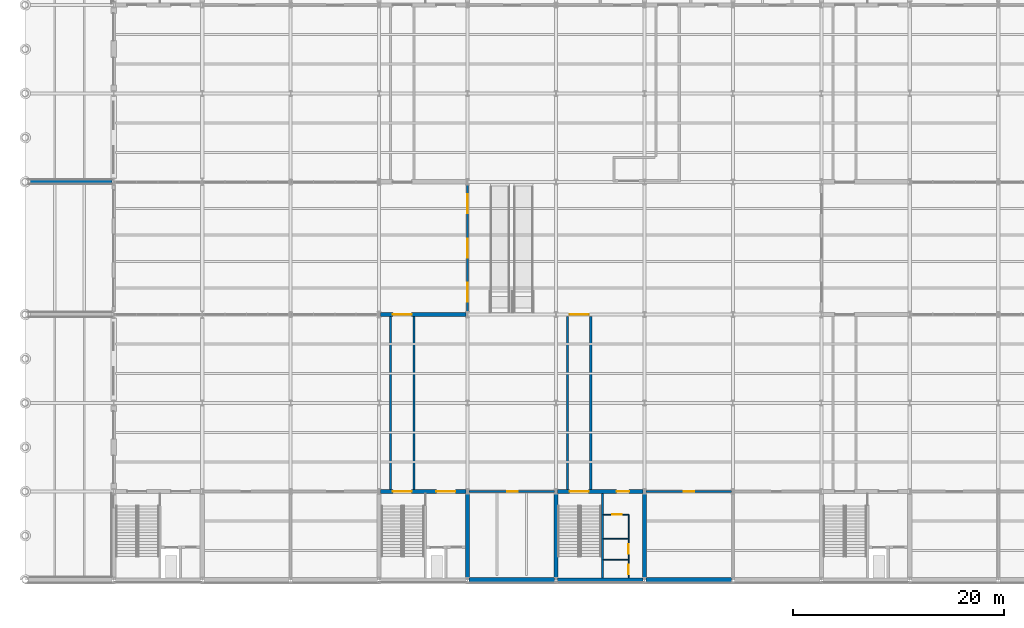
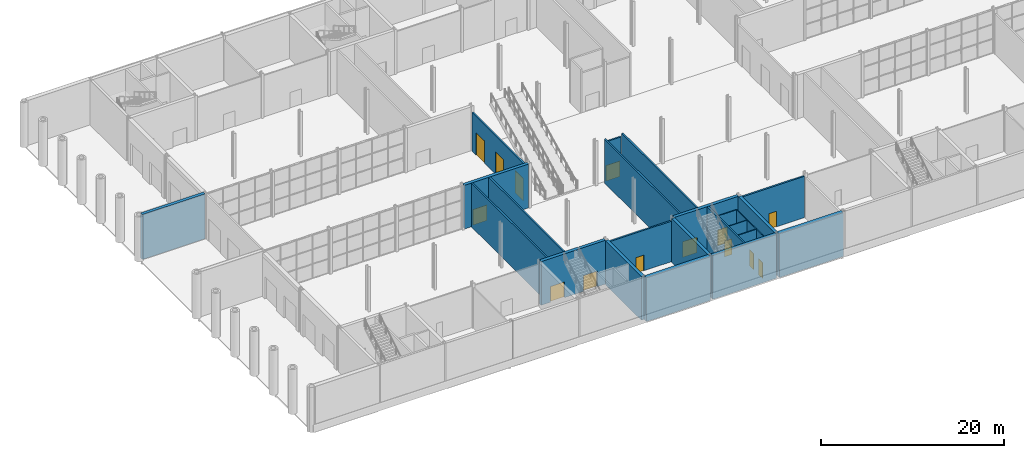
# One storey, part 31 of 55: 25 walls, 14 doors, 14 openings.
"""IFC4 building model written with IfcOpenShell, lengths in metres."""

import ifcopenshell
import ifcopenshell.guid

model = None  # the IFC model being written
_history = None  # IfcOwnerHistory: only IFC2X3 demands one
_inside = {}  # id of a spatial element -> (the spatial element, [elements in it])
_under = {}  # id of a project, library or spatial element -> (it, [spatial elements below it])
_declared = {}  # id of a project -> (the project, [libraries it declares])
_typed = {}  # id of a type object -> (the type object, [elements of that type])
_made_of = {}  # id of a material, layer set ... -> (it, [elements and type objects made of it])


def new_model(schema):
    """Start an empty IFC model of exactly this schema.

    Asked for "IFC4X3", IfcOpenShell would pick the latest addendum, in which some entities
    have other attributes; the version numbers below select the first issue.
    IFC2X3 requires an IfcOwnerHistory on every rooted entity: one is made here for all.
    """
    global model, _history
    if schema == "IFC4X3":
        model = ifcopenshell.file(schema_version=(4, 3, 0, 0))
    else:
        model = ifcopenshell.file(schema=schema)
    _inside.clear()
    _under.clear()
    _declared.clear()
    _typed.clear()
    _made_of.clear()
    _history = None
    if model.schema == "IFC2X3":
        org = make("IfcOrganization", Name="unknown")
        user = make(
            "IfcPersonAndOrganization",
            ThePerson=make("IfcPerson", FamilyName="unknown"),
            TheOrganization=org,
        )
        app = make(
            "IfcApplication",
            ApplicationDeveloper=org,
            Version="unknown",
            ApplicationFullName="unknown",
            ApplicationIdentifier="unknown",
        )
        _history = make(
            "IfcOwnerHistory",
            OwningUser=user,
            OwningApplication=app,
            ChangeAction="ADDED",
            CreationDate=0,
        )
    return model


def make(cls, **values):
    """One entity of the class cls with the attributes given. An attribute that is None is left unset."""
    return model.create_entity(
        cls, **{name: value for name, value in values.items() if value is not None}
    )


def rooted(cls, **values):
    """An entity with a GlobalId (a new one), such as an element, a storey or a relation."""
    return make(cls, GlobalId=ifcopenshell.guid.new(), OwnerHistory=_history, **values)


def si_unit(unit_type, name, prefix=None):
    """IfcSIUnit, for example si_unit("LENGTHUNIT", "METRE", prefix="MILLI")."""
    return make("IfcSIUnit", UnitType=unit_type, Prefix=prefix, Name=name)


def assignment(units):
    """IfcUnitAssignment: the units of a project."""
    return None if units is None else make("IfcUnitAssignment", Units=units)


def point(xyz):
    """IfcCartesianPoint."""
    return None if xyz is None else make("IfcCartesianPoint", Coordinates=xyz)


def direction(xyz):
    """IfcDirection."""
    return None if xyz is None else make("IfcDirection", DirectionRatios=xyz)


def frame(location, z_axis=None, x_axis=None):
    """IfcAxis2Placement3D, a coordinate frame: its origin and axes. An axis left out is left unset."""
    return make(
        "IfcAxis2Placement3D",
        Location=point(location),
        Axis=direction(z_axis),
        RefDirection=direction(x_axis),
    )


def frame_2d(location, x_axis=None):
    """IfcAxis2Placement2D, a coordinate frame in the plane: its origin and x axis."""
    return make(
        "IfcAxis2Placement2D", Location=point(location), RefDirection=direction(x_axis)
    )


def origin():
    """The frame at (0, 0, 0) with its axes left unset."""
    return frame((0.0, 0.0, 0.0))


def place(relative_to, where):
    """IfcLocalPlacement: puts the frame where relative to a parent placement (None: the world)."""
    return make(
        "IfcLocalPlacement", PlacementRelTo=relative_to, RelativePlacement=where
    )


def context(
    kind, dimensions, precision=None, world=None, true_north=None, identifier=None
):
    """IfcGeometricRepresentationContext, for example the 3D "Model" context."""
    return make(
        "IfcGeometricRepresentationContext",
        ContextIdentifier=identifier,
        ContextType=kind,
        CoordinateSpaceDimension=dimensions,
        Precision=precision,
        WorldCoordinateSystem=world,
        TrueNorth=true_north,
    )


def subcontext(parent, identifier, kind, view, scale=None):
    """IfcGeometricRepresentationSubContext, for example "Body" below "Model"."""
    return make(
        "IfcGeometricRepresentationSubContext",
        ContextIdentifier=identifier,
        ContextType=kind,
        ParentContext=parent,
        TargetScale=scale,
        TargetView=view,
    )


def project(units=None, contexts=None):
    """IfcProject with its units and contexts."""
    return rooted(
        "IfcProject",
        Name="project",
        RepresentationContexts=contexts,
        UnitsInContext=assignment(units),
    )


def spatial(cls, under=None, at=None, **own):
    """A site, building, storey or space (cls), placed at a placement, below another one or the project."""
    s = rooted(cls, ObjectPlacement=at, **own)
    if under is not None:
        _under.setdefault(under.id(), (under, []))[1].append(s)
    return s


def profile(cls, at=None, kind="AREA", **sizes):
    """A parametric profile (cls). Its sizes go by their IFC names, for example OverallWidth=200.0."""
    return make(cls, ProfileType=kind, Position=at, **sizes)


def rectangle(**sizes):
    """IfcRectangleProfileDef."""
    return profile("IfcRectangleProfileDef", **sizes)


def extrude(swept, where, along, depth):
    """IfcExtrudedAreaSolid: the profile swept, set in the frame where, extruded along a direction by depth."""
    return make(
        "IfcExtrudedAreaSolid",
        SweptArea=swept,
        Position=where,
        ExtrudedDirection=direction(along),
        Depth=depth,
    )


def shape(context_of_items, identifier, shape_type, items):
    """IfcShapeRepresentation: the items that make up one representation, for example the "Body"."""
    return make(
        "IfcShapeRepresentation",
        ContextOfItems=context_of_items,
        RepresentationIdentifier=identifier,
        RepresentationType=shape_type,
        Items=items,
    )


def material(Name=None, Category=None):
    """IfcMaterial."""
    return make("IfcMaterial", Name=Name, Category=Category)


def layer(
    of_material, thickness, ventilated=None, Name=None, Category=None, Priority=None
):
    """IfcMaterialLayer: one layer of a wall or slab, of a material (None: an air gap)."""
    return make(
        "IfcMaterialLayer",
        Material=of_material,
        LayerThickness=thickness,
        IsVentilated=ventilated,
        Name=Name,
        Category=Category,
        Priority=Priority,
    )


def layer_set(layers, Name=None):
    """IfcMaterialLayerSet."""
    return make("IfcMaterialLayerSet", MaterialLayers=layers, LayerSetName=Name)


def made_of(thing, what):
    """Note that an element or type object is made of a material, layer set ...; save() writes the relation."""
    if what is not None:
        _made_of.setdefault(what.id(), (what, []))[1].append(thing)
    return thing


def type_object(cls, material=None, **own):
    """A type object (cls), such as IfcWallType, which elements share."""
    return made_of(rooted(cls, **own), material)


def element(
    cls,
    number,
    at=None,
    inside=None,
    cuts=None,
    type_object=None,
    material=None,
    context=None,
    identifier="Body",
    shape_type=None,
    held_by="IfcProductDefinitionShape",
    body=None,
    shapes=None,
    **own,
):
    """One element of the class cls, such as IfcWall. Its Tag is "e" and its number.

    at: its placement. inside: the storey or other place that contains it. cuts: it is an
    opening in that element (IfcRelVoidsElement). A single representation is given by context,
    identifier, shape_type and body (its items); several are given by shapes. held_by: the class
    of the entity that holds the representations. save() writes the other relations.
    """
    e = rooted(cls, Tag="e%d" % number, ObjectPlacement=at, **own)
    if body is not None:
        shapes = [shape(context, identifier, shape_type, body)]
    if shapes is not None:
        e.Representation = make(held_by, Representations=shapes)
    if inside is not None:
        _inside.setdefault(inside.id(), (inside, []))[1].append(e)
    if cuts is not None:
        rooted(
            "IfcRelVoidsElement", RelatingBuildingElement=cuts, RelatedOpeningElement=e
        )
    if type_object is not None:
        _typed.setdefault(type_object.id(), (type_object, []))[1].append(e)
    return made_of(e, material)


def fill(opening, filler):
    """IfcRelFillsElement: the door or window that sits in an opening."""
    return rooted(
        "IfcRelFillsElement",
        RelatingOpeningElement=opening,
        RelatedBuildingElement=filler,
    )


def aggregate(whole, parts):
    """IfcRelAggregates: a whole, such as a stair, and the parts it consists of."""
    return rooted("IfcRelAggregates", RelatingObject=whole, RelatedObjects=parts)


def save(model, path):
    """Write the relations noted so far, then the file.

    IfcRelAggregates (storeys below a building ...), IfcRelContainedInSpatialStructure (elements
    in a storey), IfcRelDefinesByType, IfcRelAssociatesMaterial and IfcRelDeclares: one each for
    every whole, place, type object, material and project.
    """
    for whole, parts in _under.values():
        aggregate(whole, parts)
    for where, things in _inside.values():
        rooted(
            "IfcRelContainedInSpatialStructure",
            RelatedElements=things,
            RelatingStructure=where,
        )
    for kind, things in _typed.values():
        rooted("IfcRelDefinesByType", RelatedObjects=things, RelatingType=kind)
    for what, things in _made_of.values():
        rooted("IfcRelAssociatesMaterial", RelatedObjects=things, RelatingMaterial=what)
    for by, libraries in _declared.values():
        rooted("IfcRelDeclares", RelatingContext=by, RelatedDefinitions=libraries)
    model.write(path)


model = new_model("IFC4")

# Units and contexts
model_context = context("Model", 3, precision=1e-05, world=origin(), true_north=direction((0.0, 1.0)))
body_context = subcontext(model_context, "Body", "Model", "MODEL_VIEW")
ifc_project = project(units=[si_unit("LENGTHUNIT", "METRE"), si_unit("AREAUNIT", "SQUARE_METRE"), si_unit("VOLUMEUNIT", "CUBIC_METRE"), si_unit("PLANEANGLEUNIT", "RADIAN"), si_unit("MASSUNIT", "GRAM", prefix="KILO")], contexts=[model_context])

# Site, building, storey
site_placement = place(None, origin())
site = spatial("IfcSite", under=ifc_project, at=site_placement, CompositionType="ELEMENT")
building_placement = place(site_placement, origin())
building = spatial("IfcBuilding", under=site, at=building_placement, Name="Galleria Vessillo Department Store", CompositionType="ELEMENT")
storey_placement = place(building_placement, origin())
storey = spatial("IfcBuildingStorey", under=building, at=storey_placement, Name="L00", CompositionType="ELEMENT", Elevation=0.0)

# Wall, openings, doors
ifc_material_1 = material(Name="Aluminium frame with laminated glass 44.2", Category="aluminium")
ifc_layer_1 = layer(ifc_material_1, 0.199951171875)
ifc_layer_set_1 = layer_set([ifc_layer_1], Name="Aluminium frame with laminated glass 44.2")
wall_type_1 = type_object("IfcWallType", Name="Glazed screen frame wall 200 mm, internal", PredefinedType="STANDARD", material=ifc_layer_set_1)
wall_1_placement = place(storey_placement, frame((42.0, 25.510009765625, 0.0), z_axis=(0.0, 0.0, 1.0), x_axis=(0.0, 1.0, 0.0)))
wall_1 = element("IfcWall", 1, at=wall_1_placement, inside=storey, type_object=wall_type_1, Name="Glazed screen frame wall 200 mm SCR-AW-L00-01", PredefinedType="STANDARD", context=body_context, shape_type="SweptSolid", body=[
    extrude(rectangle(XDim=11.97998046875, YDim=0.199951171875, at=frame_2d((5.989990234375, 0.0))), origin(), (0.0, 0.0, 1.0), 5.16015625),
])
opening_1_placement = place(wall_1_placement, frame((0.89013671875, 0.0, 0.0)))
opening_1 = element("IfcOpeningElement", 2, at=opening_1_placement, cuts=wall_1, Name="Opening DA-W1", PredefinedType="OPENING", context=body_context, shape_type="SweptSolid", body=[
    extrude(rectangle(XDim=1.800048828125, YDim=3.0, at=frame_2d((0.89990234375, 1.5))), frame((0.0, 0.10986328125, 0.0), z_axis=(0.0, -1.0, 0.0), x_axis=(1.0, 0.0, 0.0)), (0.0, 0.0, 1.0), 0.219970703125),
])
opening_2_placement = place(wall_1_placement, frame((5.090087890625, 0.0, 0.0)))
opening_2 = element("IfcOpeningElement", 3, at=opening_2_placement, cuts=wall_1, Name="Opening DA-W2", PredefinedType="OPENING", context=body_context, shape_type="SweptSolid", body=[
    extrude(rectangle(XDim=1.800048828125, YDim=3.0, at=frame_2d((0.89990234375, 1.5))), frame((0.0, 0.10986328125, 0.0), z_axis=(0.0, -1.0, 0.0), x_axis=(1.0, 0.0, 0.0)), (0.0, 0.0, 1.0), 0.219970703125),
])
opening_3_placement = place(wall_1_placement, frame((9.2900390625, 0.0, 0.0)))
opening_3 = element("IfcOpeningElement", 4, at=opening_3_placement, cuts=wall_1, Name="Opening DA-W3", PredefinedType="OPENING", context=body_context, shape_type="SweptSolid", body=[
    extrude(rectangle(XDim=1.800048828125, YDim=3.0, at=frame_2d((0.89990234375, 1.5))), frame((0.0, 0.10986328125, 0.0), z_axis=(0.0, -1.0, 0.0), x_axis=(1.0, 0.0, 0.0)), (0.0, 0.0, 1.0), 0.219970703125),
])
ifc_material_2 = material(Name="Aluminium frame with laminated glass 44.2", Category="aluminium")
door_type_1 = type_object("IfcDoorType", Name="Glazed double screen door 1800 x 3000", OperationType="DOUBLE_DOOR_SINGLE_SWING", PredefinedType="DOOR", material=ifc_material_2)
door_1_placement = place(opening_1_placement, frame((1.800048828125, 0.0, 0.0), z_axis=(0.0, 0.0, 1.0), x_axis=(-1.0, 0.0, 0.0)))
door_1 = element("IfcDoor", 5, at=door_1_placement, inside=storey, type_object=door_type_1, Name="Glazed double screen door 1800 x 3000 DA-W1", OperationType="DOUBLE_DOOR_SINGLE_SWING", OverallHeight=3.0, OverallWidth=1.800048828125, PredefinedType="DOOR", context=body_context, shape_type="SweptSolid", body=[
    extrude(rectangle(XDim=1.800048828125, YDim=3.0, at=frame_2d((0.89990234375, 1.5))), frame((0.0, 0.02490234375, 0.0), z_axis=(0.0, -1.0, 0.0), x_axis=(1.0, 0.0, 0.0)), (0.0, 0.0, 1.0), 0.050048828125),
])
fill(opening_1, door_1)
door_2_placement = place(opening_2_placement, frame((1.800048828125, 0.0, 0.0), z_axis=(0.0, 0.0, 1.0), x_axis=(-1.0, 0.0, 0.0)))
door_2 = element("IfcDoor", 6, at=door_2_placement, inside=storey, type_object=door_type_1, Name="Glazed double screen door 1800 x 3000 DA-W2", OperationType="DOUBLE_DOOR_SINGLE_SWING", OverallHeight=3.0, OverallWidth=1.800048828125, PredefinedType="DOOR", context=body_context, shape_type="SweptSolid", body=[
    extrude(rectangle(XDim=1.800048828125, YDim=3.0, at=frame_2d((0.89990234375, 1.5))), frame((0.0, 0.02490234375, 0.0), z_axis=(0.0, -1.0, 0.0), x_axis=(1.0, 0.0, 0.0)), (0.0, 0.0, 1.0), 0.050048828125),
])
fill(opening_2, door_2)
door_3_placement = place(opening_3_placement, frame((1.800048828125, 0.0, 0.0), z_axis=(0.0, 0.0, 1.0), x_axis=(-1.0, 0.0, 0.0)))
door_3 = element("IfcDoor", 7, at=door_3_placement, inside=storey, type_object=door_type_1, Name="Glazed double screen door 1800 x 3000 DA-W3", OperationType="DOUBLE_DOOR_SINGLE_SWING", OverallHeight=3.0, OverallWidth=1.800048828125, PredefinedType="DOOR", context=body_context, shape_type="SweptSolid", body=[
    extrude(rectangle(XDim=1.800048828125, YDim=3.0, at=frame_2d((0.89990234375, 1.5))), frame((0.0, 0.02490234375, 0.0), z_axis=(0.0, -1.0, 0.0), x_axis=(1.0, 0.0, 0.0)), (0.0, 0.0, 1.0), 0.050048828125),
])
fill(opening_3, door_3)

# Wall
ifc_material_3 = material(Name="Reinforced masonry, Ceppo di Gre units 80 MPa", Category="masonry")
ifc_layer_2 = layer(ifc_material_3, 0.39990234375)
ifc_layer_set_2 = layer_set([ifc_layer_2], Name="Reinforced masonry, Ceppo di Gre units 80 MPa")
wall_type_2 = type_object("IfcWallType", Name="Load-bearing Ceppo di Gre pier wall 400 mm", PredefinedType="STANDARD", material=ifc_layer_set_2)
wall_2_placement = place(storey_placement, frame((0.304931640625, 37.800048828125, 0.0), z_axis=(0.0, 0.0, 1.0), x_axis=(1.0, 0.0, 0.0)))
element("IfcWall", 8, at=wall_2_placement, inside=storey, type_object=wall_type_2, Name="Load-bearing Ceppo di Gre pier wall 400 mm PW-N-L00-01", PredefinedType="STANDARD", context=body_context, shape_type="SweptSolid", body=[
    extrude(rectangle(XDim=7.9423828125, YDim=0.39990234375, at=frame_2d((3.97119140625, 0.0))), origin(), (0.0, 0.0, 1.0), 6.0),
])

# Wall, opening, door
ifc_material_4 = material(Name="Reinforced masonry, Ceppo di Gre units 80 MPa", Category="masonry")
ifc_layer_3 = layer(ifc_material_4, 0.39990234375)
ifc_layer_set_3 = layer_set([ifc_layer_3], Name="Reinforced masonry, Ceppo di Gre units 80 MPa")
wall_type_3 = type_object("IfcWallType", Name="Load-bearing Ceppo di Gre pier wall 400 mm, internal", PredefinedType="STANDARD", material=ifc_layer_set_3)
wall_3_placement = place(storey_placement, frame((33.752685546875, 25.199951171875, 0.0), z_axis=(0.0, 0.0, 1.0), x_axis=(1.0, 0.0, 0.0)))
wall_3 = element("IfcWall", 9, at=wall_3_placement, inside=storey, type_object=wall_type_3, Name="Load-bearing Ceppo di Gre pier wall 400 mm AI-BW-S-L00-01", PredefinedType="STANDARD", context=body_context, shape_type="SweptSolid", body=[
    extrude(rectangle(XDim=8.0947265625, YDim=0.39990234375, at=frame_2d((4.04736328125, 0.0))), origin(), (0.0, 0.0, 1.0), 5.85009765625),
])
opening_4_placement = place(wall_3_placement, frame((1.1474609375, 0.0, 0.0)))
opening_4 = element("IfcOpeningElement", 10, at=opening_4_placement, cuts=wall_3, Name="Opening D5353", PredefinedType="OPENING", context=body_context, shape_type="SweptSolid", body=[
    extrude(rectangle(XDim=1.800048828125, YDim=2.10009765625, at=frame_2d((0.89990234375, 1.050048828125))), frame((0.0, 0.2099609375, 0.0), z_axis=(0.0, -1.0, 0.0), x_axis=(1.0, 0.0, 0.0)), (0.0, 0.0, 1.0), 0.419921875),
])
ifc_material_5 = material(Name="Fire-rated steel door leaf", Category="steel")
door_type_2 = type_object("IfcDoorType", Name="Door D180F double leaf 1800 x 2100", OperationType="DOUBLE_DOOR_SINGLE_SWING", PredefinedType="DOOR", material=ifc_material_5)
door_4_placement = place(opening_4_placement, origin())
door_4 = element("IfcDoor", 11, at=door_4_placement, inside=storey, type_object=door_type_2, Name="Passage exit door XA-ST3", OperationType="DOUBLE_DOOR_SINGLE_SWING", OverallHeight=2.10009765625, OverallWidth=1.800048828125, PredefinedType="DOOR", context=body_context, shape_type="SweptSolid", body=[
    extrude(rectangle(XDim=1.800048828125, YDim=2.10009765625, at=frame_2d((0.89990234375, 1.050048828125))), frame((0.0, 0.02490234375, 0.0), z_axis=(0.0, -1.0, 0.0), x_axis=(1.0, 0.0, 0.0)), (0.0, 0.0, 1.0), 0.050048828125),
])
fill(opening_4, door_4)

# Walls
ifc_material_6 = material(Name="Solid clay block masonry", Category="masonry")
ifc_layer_4 = layer(ifc_material_6, 0.199951171875)
ifc_layer_set_4 = layer_set([ifc_layer_4], Name="Solid clay block masonry")
wall_type_4 = type_object("IfcWallType", Name="Protected exit passage wall 200 mm", PredefinedType="PARTITIONING", material=ifc_layer_set_4)
for number, where, z_axis, x_axis, name in (
    (12, (34.699951171875, 8.599853515625, 0.0), (0.0, 0.0, 1.0), (0.0, 1.0, 0.0), "Protected passage wall ST3"),
    (13, (36.900146484375, 8.599853515625, 0.0), (0.0, 0.0, 1.0), (0.0, 1.0, 0.0), "Protected passage wall ST3"),
    (14, (51.5, 8.599853515625, 0.0), (0.0, 0.0, 1.0), (0.0, 1.0, 0.0), "Protected passage wall ST10"),
    (15, (53.7001953125, 8.599853515625, 0.0), (0.0, 0.0, 1.0), (0.0, 1.0, 0.0), "Protected passage wall ST10"),
):
    element("IfcWall", number, at=place(storey_placement, frame(where, z_axis=z_axis, x_axis=x_axis)), inside=storey, type_object=wall_type_4, Name=name, PredefinedType="PARTITIONING", context=body_context, shape_type="SweptSolid", body=[
        extrude(rectangle(XDim=16.400146484375, YDim=0.199951171875, at=frame_2d((8.2001953125, 0.0))), origin(), (0.0, 0.0, 1.0), 5.85009765625),
    ])

# Wall, opening, door
wall_4_placement = place(storey_placement, frame((51.60009765625, 25.199951171875, 0.0), z_axis=(0.0, 0.0, 1.0), x_axis=(1.0, 0.0, 0.0)))
wall_4 = element("IfcWall", 16, at=wall_4_placement, inside=storey, type_object=wall_type_4, Name="Protected passage end wall ST10", PredefinedType="PARTITIONING", context=body_context, shape_type="SweptSolid", body=[
    extrude(rectangle(XDim=2.0, YDim=0.199951171875, at=frame_2d((1.0, 0.0))), origin(), (0.0, 0.0, 1.0), 5.31005859375),
])
opening_5_placement = place(wall_4_placement, frame((0.10009765625, 0.0, 0.0)))
opening_5 = element("IfcOpeningElement", 17, at=opening_5_placement, cuts=wall_4, Name="Opening D5357", PredefinedType="OPENING", context=body_context, shape_type="SweptSolid", body=[
    extrude(rectangle(XDim=1.800048828125, YDim=2.10009765625, at=frame_2d((0.89990234375, 1.050048828125))), frame((0.0, 0.10986328125, 0.0), z_axis=(0.0, -1.0, 0.0), x_axis=(1.0, 0.0, 0.0)), (0.0, 0.0, 1.0), 0.219970703125),
])
door_5_placement = place(opening_5_placement, origin())
door_5 = element("IfcDoor", 18, at=door_5_placement, inside=storey, type_object=door_type_2, Name="Passage exit door XA-ST10", OperationType="DOUBLE_DOOR_SINGLE_SWING", OverallHeight=2.10009765625, OverallWidth=1.800048828125, PredefinedType="DOOR", context=body_context, shape_type="SweptSolid", body=[
    extrude(rectangle(XDim=1.800048828125, YDim=2.10009765625, at=frame_2d((0.89990234375, 1.050048828125))), frame((0.0, 0.02490234375, 0.0), z_axis=(0.0, -1.0, 0.0), x_axis=(1.0, 0.0, 0.0)), (0.0, 0.0, 1.0), 0.050048828125),
])
fill(opening_5, door_5)

# Wall, openings, doors
ifc_material_7 = material(Name="Concrete C32/40 reinforced", Category="concrete")
ifc_layer_5 = layer(ifc_material_7, 0.39990234375)
ifc_layer_set_5 = layer_set([ifc_layer_5], Name="Concrete C32/40 reinforced")
wall_type_5 = type_object("IfcWallType", Name="Reinforced concrete core wall 400 mm", PredefinedType="SHEAR", material=ifc_layer_set_5)
wall_5_placement = place(storey_placement, frame((33.75, 8.39990234375, 0.0), z_axis=(0.0, 0.0, 1.0), x_axis=(1.0, 0.0, 0.0)))
wall_5 = element("IfcWall", 19, at=wall_5_placement, inside=storey, type_object=wall_type_5, Name="S-CW-PC-SM-INTERIOR-L00", PredefinedType="SHEAR", context=body_context, shape_type="SweptSolid", body=[
    extrude(rectangle(XDim=8.10009765625, YDim=0.39990234375, at=frame_2d((4.050048828125, 0.0))), origin(), (0.0, 0.0, 1.0), 5.85009765625),
])
opening_6_placement = place(wall_5_placement, frame((5.2998046875, 0.0, 0.0)))
opening_6 = element("IfcOpeningElement", 20, at=opening_6_placement, cuts=wall_5, Name="Opening D5075", PredefinedType="OPENING", context=body_context, shape_type="SweptSolid", body=[
    extrude(rectangle(XDim=1.800048828125, YDim=2.10009765625, at=frame_2d((0.89990234375, 1.050048828125))), frame((0.0, 0.2099609375, 0.0), z_axis=(0.0, -1.0, 0.0), x_axis=(1.0, 0.0, 0.0)), (0.0, 0.0, 1.0), 0.419921875),
])
opening_7_placement = place(wall_5_placement, frame((1.14990234375, 0.0, 0.0)))
opening_7 = element("IfcOpeningElement", 21, at=opening_7_placement, cuts=wall_5, Name="Opening D5343", PredefinedType="OPENING", context=body_context, shape_type="SweptSolid", body=[
    extrude(rectangle(XDim=1.800048828125, YDim=2.10009765625, at=frame_2d((0.89990234375, 1.050048828125))), frame((0.0, 0.2099609375, 0.0), z_axis=(0.0, -1.0, 0.0), x_axis=(1.0, 0.0, 0.0)), (0.0, 0.0, 1.0), 0.419921875),
])
door_6_placement = place(opening_6_placement, frame((1.800048828125, 0.0, 0.0), z_axis=(0.0, 0.0, 1.0), x_axis=(-1.0, 0.0, 0.0)))
door_6 = element("IfcDoor", 22, at=door_6_placement, inside=storey, type_object=door_type_2, Name="Lobby door PC-SM-LOBBY-FLOOR L00", OperationType="DOUBLE_DOOR_SINGLE_SWING", OverallHeight=2.10009765625, OverallWidth=1.800048828125, PredefinedType="DOOR", context=body_context, shape_type="SweptSolid", body=[
    extrude(rectangle(XDim=1.800048828125, YDim=2.10009765625, at=frame_2d((0.89990234375, 1.050048828125))), frame((0.0, 0.02490234375, 0.0), z_axis=(0.0, -1.0, 0.0), x_axis=(1.0, 0.0, 0.0)), (0.0, 0.0, 1.0), 0.050048828125),
])
fill(opening_6, door_6)
door_7_placement = place(opening_7_placement, origin())
door_7 = element("IfcDoor", 23, at=door_7_placement, inside=storey, type_object=door_type_2, Name="Stair exit door X-ST3", OperationType="DOUBLE_DOOR_SINGLE_SWING", OverallHeight=2.10009765625, OverallWidth=1.800048828125, PredefinedType="DOOR", context=body_context, shape_type="SweptSolid", body=[
    extrude(rectangle(XDim=1.800048828125, YDim=2.10009765625, at=frame_2d((0.89990234375, 1.050048828125))), frame((0.0, 0.02490234375, 0.0), z_axis=(0.0, -1.0, 0.0), x_axis=(1.0, 0.0, 0.0)), (0.0, 0.0, 1.0), 0.050048828125),
])
fill(opening_7, door_7)

# Wall
wall_6_placement = place(storey_placement, frame((42.0, 0.25, 0.0), z_axis=(0.0, 0.0, 1.0), x_axis=(0.0, 1.0, 0.0)))
element("IfcWall", 24, at=wall_6_placement, inside=storey, type_object=wall_type_5, Name="S-CW-PC-SM-EAST-L00", PredefinedType="SHEAR", context=body_context, shape_type="SweptSolid", body=[
    extrude(rectangle(XDim=7.89990234375, YDim=0.39990234375, at=frame_2d((3.949951171875, 0.0))), origin(), (0.0, 0.0, 1.0), 5.85009765625),
])

# Wall, openings, doors
wall_7_placement = place(storey_placement, frame((50.5498046875, 8.39990234375, 0.0), z_axis=(0.0, 0.0, 1.0), x_axis=(1.0, 0.0, 0.0)))
wall_7 = element("IfcWall", 25, at=wall_7_placement, inside=storey, type_object=wall_type_5, Name="S-CW-PC-SC-INTERIOR-L00", PredefinedType="SHEAR", context=body_context, shape_type="SweptSolid", body=[
    extrude(rectangle(XDim=8.100341796875, YDim=0.39990234375, at=frame_2d((4.05029296875, 0.0))), origin(), (0.0, 0.0, 1.0), 5.85009765625),
])
opening_8_placement = place(wall_7_placement, frame((5.60009765625, 0.0, 0.0)))
opening_8 = element("IfcOpeningElement", 26, at=opening_8_placement, cuts=wall_7, Name="Opening D5193", PredefinedType="OPENING", context=body_context, shape_type="SweptSolid", body=[
    extrude(rectangle(XDim=1.199951171875, YDim=2.10009765625, at=frame_2d((0.60009765625, 1.050048828125))), frame((0.0, 0.2099609375, 0.0), z_axis=(0.0, -1.0, 0.0), x_axis=(1.0, 0.0, 0.0)), (0.0, 0.0, 1.0), 0.419921875),
])
opening_9_placement = place(wall_7_placement, frame((1.150146484375, 0.0, 0.0)))
opening_9 = element("IfcOpeningElement", 27, at=opening_9_placement, cuts=wall_7, Name="Opening D5347", PredefinedType="OPENING", context=body_context, shape_type="SweptSolid", body=[
    extrude(rectangle(XDim=1.800048828125, YDim=2.10009765625, at=frame_2d((0.89990234375, 1.050048828125))), frame((0.0, 0.2099609375, 0.0), z_axis=(0.0, -1.0, 0.0), x_axis=(1.0, 0.0, 0.0)), (0.0, 0.0, 1.0), 0.419921875),
])
ifc_material_8 = material(Name="Fire-rated steel door leaf", Category="steel")
door_type_3 = type_object("IfcDoorType", Name="Door D120F fire door 1200 x 2100", OperationType="SINGLE_SWING_LEFT", PredefinedType="DOOR", material=ifc_material_8)
door_8_placement = place(opening_8_placement, frame((1.199951171875, 0.0, 0.0), z_axis=(0.0, 0.0, 1.0), x_axis=(-1.0, 0.0, 0.0)))
door_8 = element("IfcDoor", 28, at=door_8_placement, inside=storey, type_object=door_type_3, Name="Lobby door PC-SC-WC-FLOOR L00", OperationType="SINGLE_SWING_LEFT", OverallHeight=2.10009765625, OverallWidth=1.199951171875, PredefinedType="DOOR", context=body_context, shape_type="SweptSolid", body=[
    extrude(rectangle(XDim=1.199951171875, YDim=2.10009765625, at=frame_2d((0.60009765625, 1.050048828125))), frame((0.0, 0.02490234375, 0.0), z_axis=(0.0, -1.0, 0.0), x_axis=(1.0, 0.0, 0.0)), (0.0, 0.0, 1.0), 0.050048828125),
])
fill(opening_8, door_8)
door_9_placement = place(opening_9_placement, origin())
door_9 = element("IfcDoor", 29, at=door_9_placement, inside=storey, type_object=door_type_2, Name="Stair exit door X-ST10", OperationType="DOUBLE_DOOR_SINGLE_SWING", OverallHeight=2.10009765625, OverallWidth=1.800048828125, PredefinedType="DOOR", context=body_context, shape_type="SweptSolid", body=[
    extrude(rectangle(XDim=1.800048828125, YDim=2.10009765625, at=frame_2d((0.89990234375, 1.050048828125))), frame((0.0, 0.02490234375, 0.0), z_axis=(0.0, -1.0, 0.0), x_axis=(1.0, 0.0, 0.0)), (0.0, 0.0, 1.0), 0.050048828125),
])
fill(opening_9, door_9)

# Walls
for number, where, z_axis, x_axis, name in (
    (30, (50.39990234375, 0.25, 0.0), (0.0, 0.0, 1.0), (0.0, 1.0, 0.0), "S-CW-PC-SC-WEST-L00"),
    (31, (58.800048828125, 0.25, 0.0), (0.0, 0.0, 1.0), (0.0, 1.0, 0.0), "S-CW-PC-SC-EAST-L00"),
):
    element("IfcWall", number, at=place(storey_placement, frame(where, z_axis=z_axis, x_axis=x_axis)), inside=storey, type_object=wall_type_5, Name=name, PredefinedType="SHEAR", context=body_context, shape_type="SweptSolid", body=[
        extrude(rectangle(XDim=7.89990234375, YDim=0.39990234375, at=frame_2d((3.949951171875, 0.0))), origin(), (0.0, 0.0, 1.0), 5.85009765625),
    ])
ifc_material_9 = material(Name="Concrete C32/40 reinforced", Category="concrete")
ifc_layer_6 = layer(ifc_material_9, 0.39990234375)
ifc_layer_set_6 = layer_set([ifc_layer_6], Name="Concrete C32/40 reinforced")
wall_type_6 = type_object("IfcWallType", Name="Reinforced concrete core wall 400 mm, external", PredefinedType="SHEAR", material=ifc_layer_set_6)
wall_8_placement = place(storey_placement, frame((50.5498046875, 0.0, 0.0), z_axis=(0.0, 0.0, 1.0), x_axis=(1.0, 0.0, 0.0)))
element("IfcWall", 32, at=wall_8_placement, inside=storey, type_object=wall_type_6, Name="S-CW-PC-SC-PARTY-L00", PredefinedType="SHEAR", context=body_context, shape_type="SweptSolid", body=[
    extrude(rectangle(XDim=8.100341796875, YDim=0.39990234375, at=frame_2d((4.05029296875, 0.0))), origin(), (0.0, 0.0, 1.0), 5.85009765625),
])
ifc_material_10 = material(Name="Concrete C32/40 reinforced", Category="concrete")
ifc_layer_7 = layer(ifc_material_10, 0.5)
ifc_layer_set_7 = layer_set([ifc_layer_7], Name="Concrete C32/40 reinforced")
wall_type_7 = type_object("IfcWallType", Name="Reinforced concrete party wall 500 mm", PredefinedType="SHEAR", material=ifc_layer_set_7)
for number, where, z_axis, x_axis, name in (
    (33, (42.14990234375, 0.0, 0.0), (0.0, 0.0, 1.0), (1.0, 0.0, 0.0), "S-PS-L00-04"),
    (34, (58.949951171875, 0.0, 0.0), (0.0, 0.0, 1.0), (1.0, 0.0, 0.0), "S-PS-L00-05"),
):
    element("IfcWall", number, at=place(storey_placement, frame(where, z_axis=z_axis, x_axis=x_axis)), inside=storey, type_object=wall_type_7, Name=name, PredefinedType="SHEAR", context=body_context, shape_type="SweptSolid", body=[
        extrude(rectangle(XDim=8.10009765625, YDim=0.5, at=frame_2d((4.050048828125, 0.0))), origin(), (0.0, 0.0, 1.0), 5.85009765625),
    ])
ifc_material_11 = material(Name="Concrete C32/40 reinforced", Category="concrete")
ifc_layer_8 = layer(ifc_material_11, 0.199951171875)
ifc_layer_set_8 = layer_set([ifc_layer_8], Name="Concrete C32/40 reinforced")
wall_type_8 = type_object("IfcWallType", Name="Reinforced concrete stair enclosure wall 200 mm", PredefinedType="SHEAR", material=ifc_layer_set_8)
wall_9_placement = place(storey_placement, frame((54.7998046875, 0.199951171875, 0.0), z_axis=(0.0, 0.0, 1.0), x_axis=(0.0, 1.0, 0.0)))
element("IfcWall", 35, at=wall_9_placement, inside=storey, type_object=wall_type_8, Name="Stair enclosure wall PC-SC L00", PredefinedType="SHEAR", context=body_context, shape_type="SweptSolid", body=[
    extrude(rectangle(XDim=8.0, YDim=0.199951171875, at=frame_2d((4.0, 0.0))), origin(), (0.0, 0.0, 1.0), 5.85009765625),
])

# Wall, opening, door
ifc_material_12 = material(Name="Concrete blockwork", Category="masonry")
ifc_layer_9 = layer(ifc_material_12, 0.215087890625)
ifc_layer_set_9 = layer_set([ifc_layer_9], Name="Concrete blockwork")
wall_type_9 = type_object("IfcWallType", Name="Security room blockwork wall 215 mm", PredefinedType="SOLIDWALL", material=ifc_layer_set_9)
wall_10_placement = place(storey_placement, frame((42.14990234375, 8.39990234375, 0.0), z_axis=(0.0, 0.0, 1.0), x_axis=(1.0, 0.0, 0.0)))
wall_10 = element("IfcWall", 36, at=wall_10_placement, inside=storey, type_object=wall_type_9, Name="Partition wall PT9 on L00 no. 022", PredefinedType="SOLIDWALL", context=body_context, shape_type="SweptSolid", body=[
    extrude(rectangle(XDim=8.10009765625, YDim=0.215087890625, at=frame_2d((4.050048828125, 0.0))), origin(), (0.0, 0.0, 1.0), 5.41015625),
])
opening_10_placement = place(wall_10_placement, frame((3.60009765625, 0.0, 0.0)))
opening_10 = element("IfcOpeningElement", 37, at=opening_10_placement, cuts=wall_10, Name="Opening D2212", PredefinedType="OPENING", context=body_context, shape_type="SweptSolid", body=[
    extrude(rectangle(XDim=1.0, YDim=2.10009765625, at=frame_2d((0.5, 1.050048828125))), frame((0.0, 0.11767578125, 0.0), z_axis=(0.0, -1.0, 0.0), x_axis=(1.0, 0.0, 0.0)), (0.0, 0.0, 1.0), 0.235107421875),
])
ifc_material_13 = material(Name="Steel fire door leaf", Category="steel")
door_type_4 = type_object("IfcDoorType", Name="Fire door 1000 single leaf", OperationType="SINGLE_SWING_LEFT", PredefinedType="DOOR", material=ifc_material_13)
door_10_placement = place(opening_10_placement, frame((1.0, 0.0, 0.0), z_axis=(0.0, 0.0, 1.0), x_axis=(-1.0, 0.0, 0.0)))
door_10 = element("IfcDoor", 38, at=door_10_placement, inside=storey, type_object=door_type_4, Name="Door D2212", OperationType="SINGLE_SWING_RIGHT", OverallHeight=2.10009765625, OverallWidth=1.0, PredefinedType="DOOR", context=body_context, shape_type="SweptSolid", body=[
    extrude(rectangle(XDim=1.0, YDim=2.10009765625, at=frame_2d((0.5, 1.050048828125))), frame((0.0, 0.02490234375, 0.0), z_axis=(0.0, -1.0, 0.0), x_axis=(1.0, 0.0, 0.0)), (0.0, 0.0, 1.0), 0.050048828125),
])
fill(opening_10, door_10)

wall_11_placement = place(storey_placement, frame((58.949951171875, 8.39990234375, 0.0), z_axis=(0.0, 0.0, 1.0), x_axis=(1.0, 0.0, 0.0)))
wall_11 = element("IfcWall", 39, at=wall_11_placement, inside=storey, type_object=wall_type_9, Name="Partition wall PT9 on L00 no. 024", PredefinedType="SOLIDWALL", context=body_context, shape_type="SweptSolid", body=[
    extrude(rectangle(XDim=8.10009765625, YDim=0.215087890625, at=frame_2d((4.050048828125, 0.0))), origin(), (0.0, 0.0, 1.0), 5.52001953125),
])
opening_11_placement = place(wall_11_placement, frame((3.60009765625, 0.0, 0.0)))
opening_11 = element("IfcOpeningElement", 40, at=opening_11_placement, cuts=wall_11, Name="Opening D2213", PredefinedType="OPENING", context=body_context, shape_type="SweptSolid", body=[
    extrude(rectangle(XDim=1.0, YDim=2.10009765625, at=frame_2d((0.5, 1.050048828125))), frame((0.0, 0.11767578125, 0.0), z_axis=(0.0, -1.0, 0.0), x_axis=(1.0, 0.0, 0.0)), (0.0, 0.0, 1.0), 0.235107421875),
])
door_11_placement = place(opening_11_placement, frame((1.0, 0.0, 0.0), z_axis=(0.0, 0.0, 1.0), x_axis=(-1.0, 0.0, 0.0)))
door_11 = element("IfcDoor", 41, at=door_11_placement, inside=storey, type_object=door_type_4, Name="Door D2213", OperationType="SINGLE_SWING_RIGHT", OverallHeight=2.10009765625, OverallWidth=1.0, PredefinedType="DOOR", context=body_context, shape_type="SweptSolid", body=[
    extrude(rectangle(XDim=1.0, YDim=2.10009765625, at=frame_2d((0.5, 1.050048828125))), frame((0.0, 0.02490234375, 0.0), z_axis=(0.0, -1.0, 0.0), x_axis=(1.0, 0.0, 0.0)), (0.0, 0.0, 1.0), 0.050048828125),
])
fill(opening_11, door_11)

ifc_material_14 = material(Name="Moisture-resistant board partition")
ifc_layer_10 = layer(ifc_material_14, 0.10009765625)
ifc_layer_set_10 = layer_set([ifc_layer_10], Name="Moisture-resistant board partition")
wall_type_10 = type_object("IfcWallType", Name="WC and cubicle partition 100 mm", PredefinedType="PARTITIONING", material=ifc_layer_set_10)
wall_12_placement = place(storey_placement, frame((54.89990234375, 6.199951171875, 0.0), z_axis=(0.0, 0.0, 1.0), x_axis=(1.0, 0.0, 0.0)))
wall_12 = element("IfcWall", 42, at=wall_12_placement, inside=storey, type_object=wall_type_10, Name="Partition wall PT1 on L00 no. 001", PredefinedType="PARTITIONING", context=body_context, shape_type="SweptSolid", body=[
    extrude(rectangle(XDim=2.39990234375, YDim=0.10009765625, at=frame_2d((1.199951171875, 0.0))), origin(), (0.0, 0.0, 1.0), 5.780029296875),
])
opening_12_placement = place(wall_12_placement, frame((0.85009765625, 0.0, 0.0)))
opening_12 = element("IfcOpeningElement", 43, at=opening_12_placement, cuts=wall_12, Name="Opening D2201", PredefinedType="OPENING", context=body_context, shape_type="SweptSolid", body=[
    extrude(rectangle(XDim=0.89990234375, YDim=2.10009765625, at=frame_2d((0.449951171875, 1.050048828125))), frame((0.0, 0.06005859375, 0.0), z_axis=(0.0, -1.0, 0.0), x_axis=(1.0, 0.0, 0.0)), (0.0, 0.0, 1.0), 0.1201171875),
])
ifc_material_15 = material(Name="Timber and glass door leaf", Category="wood")
door_type_5 = type_object("IfcDoorType", Name="Floor door 900 single leaf", OperationType="SINGLE_SWING_LEFT", PredefinedType="DOOR", material=ifc_material_15)
door_12_placement = place(opening_12_placement, origin())
door_12 = element("IfcDoor", 44, at=door_12_placement, inside=storey, type_object=door_type_5, Name="Door D2201", OperationType="SINGLE_SWING_LEFT", OverallHeight=2.10009765625, OverallWidth=0.89990234375, PredefinedType="DOOR", context=body_context, shape_type="SweptSolid", body=[
    extrude(rectangle(XDim=0.89990234375, YDim=2.10009765625, at=frame_2d((0.449951171875, 1.050048828125))), frame((0.0, 0.02490234375, 0.0), z_axis=(0.0, -1.0, 0.0), x_axis=(1.0, 0.0, 0.0)), (0.0, 0.0, 1.0), 0.050048828125),
])
fill(opening_12, door_12)

# Wall
wall_13_placement = place(storey_placement, frame((57.2998046875, 3.89990234375, 0.0), z_axis=(0.0, 0.0, 1.0), x_axis=(0.0, 1.0, 0.0)))
element("IfcWall", 45, at=wall_13_placement, inside=storey, type_object=wall_type_10, Name="Partition wall PT1 on L00 no. 002", PredefinedType="PARTITIONING", context=body_context, shape_type="SweptSolid", body=[
    extrude(rectangle(XDim=2.300048828125, YDim=0.10009765625, at=frame_2d((1.14990234375, 0.0))), origin(), (0.0, 0.0, 1.0), 5.780029296875),
])

# Wall, opening, door
wall_14_placement = place(storey_placement, frame((57.2998046875, 1.89990234375, 0.0), z_axis=(0.0, 0.0, 1.0), x_axis=(0.0, 1.0, 0.0)))
wall_14 = element("IfcWall", 46, at=wall_14_placement, inside=storey, type_object=wall_type_10, Name="Partition wall PT1 on L00 no. 003", PredefinedType="PARTITIONING", context=body_context, shape_type="SweptSolid", body=[
    extrude(rectangle(XDim=2.0, YDim=0.10009765625, at=frame_2d((1.0, 0.0))), origin(), (0.0, 0.0, 1.0), 5.780029296875),
])
opening_13_placement = place(wall_14_placement, frame((0.60009765625, 0.0, 0.0)))
opening_13 = element("IfcOpeningElement", 47, at=opening_13_placement, cuts=wall_14, Name="Opening D2202", PredefinedType="OPENING", context=body_context, shape_type="SweptSolid", body=[
    extrude(rectangle(XDim=0.89990234375, YDim=2.10009765625, at=frame_2d((0.449951171875, 1.050048828125))), frame((0.0, 0.06005859375, 0.0), z_axis=(0.0, -1.0, 0.0), x_axis=(1.0, 0.0, 0.0)), (0.0, 0.0, 1.0), 0.1201171875),
])
door_13_placement = place(opening_13_placement, frame((0.89990234375, 0.0, 0.0), z_axis=(0.0, 0.0, 1.0), x_axis=(-1.0, 0.0, 0.0)))
door_13 = element("IfcDoor", 48, at=door_13_placement, inside=storey, type_object=door_type_5, Name="Door D2202", OperationType="SINGLE_SWING_RIGHT", OverallHeight=2.10009765625, OverallWidth=0.89990234375, PredefinedType="DOOR", context=body_context, shape_type="SweptSolid", body=[
    extrude(rectangle(XDim=0.89990234375, YDim=2.10009765625, at=frame_2d((0.449951171875, 1.050048828125))), frame((0.0, 0.02490234375, 0.0), z_axis=(0.0, -1.0, 0.0), x_axis=(1.0, 0.0, 0.0)), (0.0, 0.0, 1.0), 0.050048828125),
])
fill(opening_13, door_13)

wall_15_placement = place(storey_placement, frame((57.2998046875, 0.199951171875, 0.0), z_axis=(0.0, 0.0, 1.0), x_axis=(0.0, 1.0, 0.0)))
wall_15 = element("IfcWall", 49, at=wall_15_placement, inside=storey, type_object=wall_type_10, Name="Partition wall PT1 on L00 no. 004", PredefinedType="PARTITIONING", context=body_context, shape_type="SweptSolid", body=[
    extrude(rectangle(XDim=1.699951171875, YDim=0.10009765625, at=frame_2d((0.85009765625, 0.0))), origin(), (0.0, 0.0, 1.0), 5.780029296875),
])
opening_14_placement = place(wall_15_placement, frame((0.35009765625, 0.0, 0.0)))
opening_14 = element("IfcOpeningElement", 50, at=opening_14_placement, cuts=wall_15, Name="Opening D2203", PredefinedType="OPENING", context=body_context, shape_type="SweptSolid", body=[
    extrude(rectangle(XDim=0.89990234375, YDim=2.10009765625, at=frame_2d((0.449951171875, 1.050048828125))), frame((0.0, 0.06005859375, 0.0), z_axis=(0.0, -1.0, 0.0), x_axis=(1.0, 0.0, 0.0)), (0.0, 0.0, 1.0), 0.1201171875),
])
ifc_material_16 = material(Name="Timber and glass door leaf", Category="wood")
door_type_6 = type_object("IfcDoorType", Name="Accessible WC door 900 sliding", OperationType="SLIDING_TO_LEFT", PredefinedType="DOOR", material=ifc_material_16)
door_14_placement = place(opening_14_placement, origin())
door_14 = element("IfcDoor", 51, at=door_14_placement, inside=storey, type_object=door_type_6, Name="Door D2203", OperationType="SLIDING_TO_RIGHT", OverallHeight=2.10009765625, OverallWidth=0.89990234375, PredefinedType="DOOR", context=body_context, shape_type="SweptSolid", body=[
    extrude(rectangle(XDim=0.89990234375, YDim=2.10009765625, at=frame_2d((0.449951171875, 1.050048828125))), frame((0.0, 0.02490234375, 0.0), z_axis=(0.0, -1.0, 0.0), x_axis=(1.0, 0.0, 0.0)), (0.0, 0.0, 1.0), 0.050048828125),
])
fill(opening_14, door_14)

# Walls
for number, where, z_axis, x_axis, name in (
    (52, (54.89990234375, 3.89990234375, 0.0), (0.0, 0.0, 1.0), (1.0, 0.0, 0.0), "Partition wall PT1 on L00 no. 005"),
    (53, (54.89990234375, 1.89990234375, 0.0), (0.0, 0.0, 1.0), (1.0, 0.0, 0.0), "Partition wall PT1 on L00 no. 006"),
):
    element("IfcWall", number, at=place(storey_placement, frame(where, z_axis=z_axis, x_axis=x_axis)), inside=storey, type_object=wall_type_10, Name=name, PredefinedType="PARTITIONING", context=body_context, shape_type="SweptSolid", body=[
        extrude(rectangle(XDim=2.39990234375, YDim=0.10009765625, at=frame_2d((1.199951171875, 0.0))), origin(), (0.0, 0.0, 1.0), 5.780029296875),
    ])

save(model, "model.ifc")
